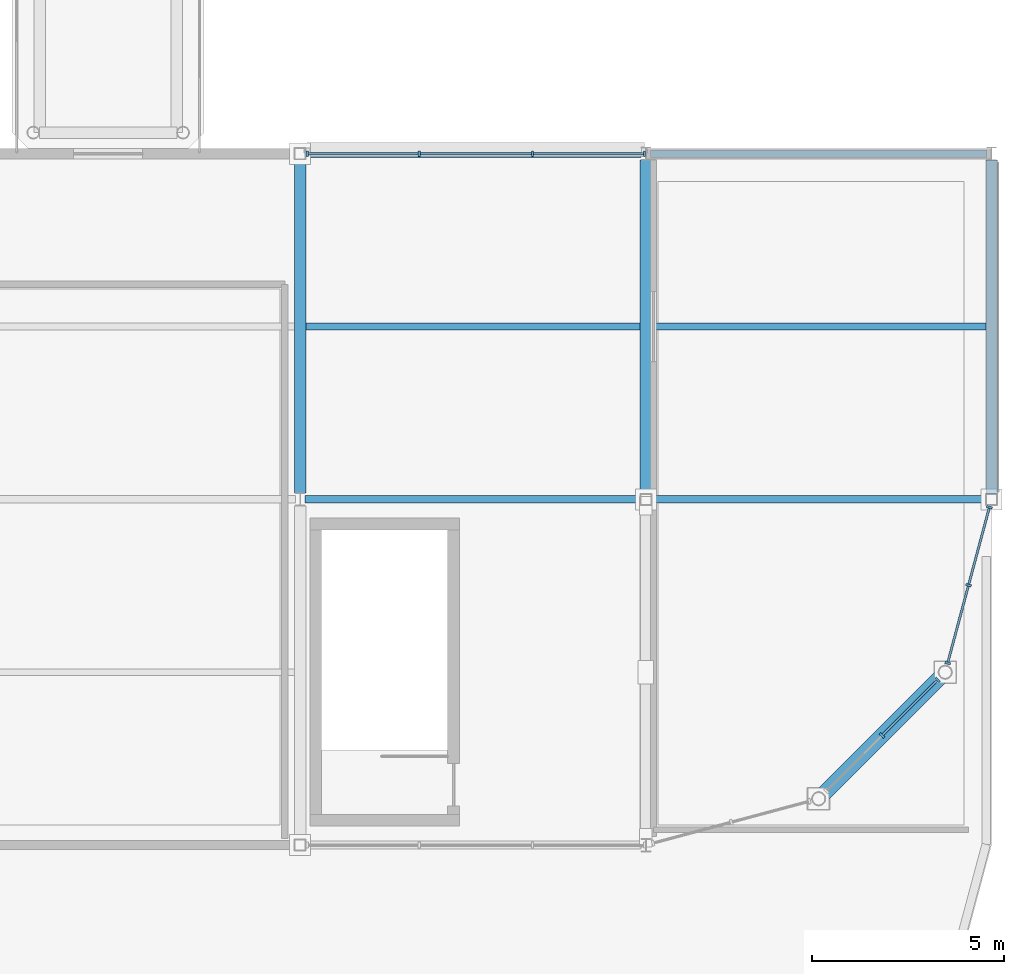
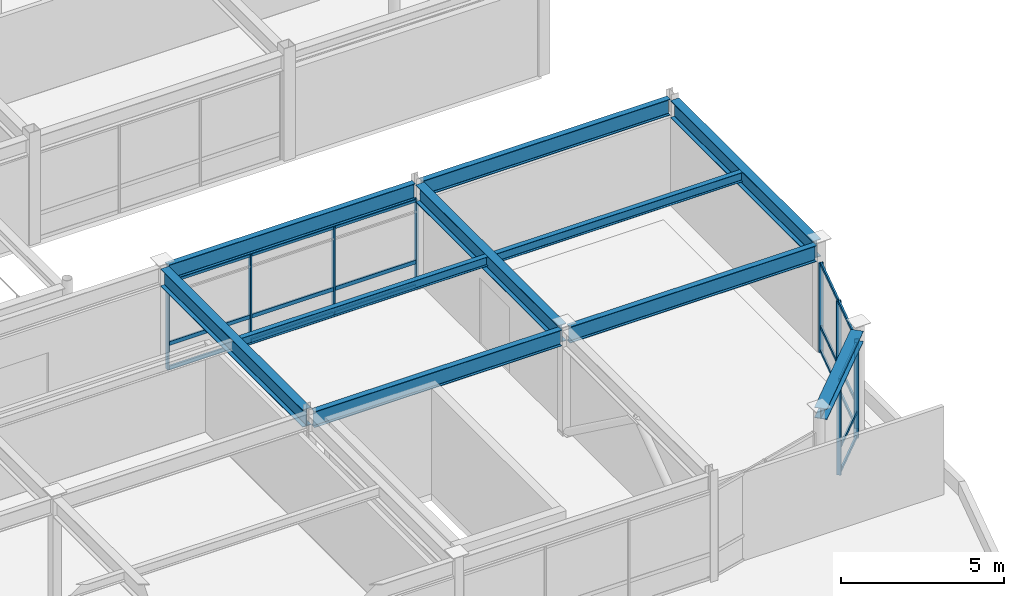
# One storey, part 35 of 70: 27 members, 10 beams, 3 elements without a shape of their own.
"""IFC4 building model written with IfcOpenShell, lengths in metres."""

from ifc_helpers import new_model, si_unit, direction, frame, origin, origin_2d, place, context, subcontext, project, spatial, rectangle, i_section, extrude, material, material_profile, profile_set, type_object, element, aggregate, save


model = new_model("IFC4")

# Units and contexts
model_context = context("Model", 3, precision=1e-05, world=origin(), true_north=direction((0.0, 1.0)))
body_context = subcontext(model_context, "Body", "Model", "MODEL_VIEW")
ifc_project = project(units=[si_unit("LENGTHUNIT", "METRE"), si_unit("AREAUNIT", "SQUARE_METRE"), si_unit("VOLUMEUNIT", "CUBIC_METRE"), si_unit("PLANEANGLEUNIT", "RADIAN"), si_unit("MASSUNIT", "GRAM", prefix="KILO")], contexts=[model_context])

# Site, building, storey
site_placement = place(None, origin())
site = spatial("IfcSite", under=ifc_project, at=site_placement, CompositionType="ELEMENT")
building_placement = place(site_placement, origin())
building = spatial("IfcBuilding", under=site, at=building_placement, Name="Suzunagisa Mobility Hub", CompositionType="ELEMENT")
storey_placement = place(building_placement, frame((0.0, 0.0, 13.5)))
storey = spatial("IfcBuildingStorey", under=building, at=storey_placement, Name="L03", CompositionType="ELEMENT", Elevation=13.5)

# Curtain wall, members
ifc_material_1 = material(Name="Thermally Broken Anodized Aluminum and Low-E Glazing", Category="aluminium")
curtain_wall_type_1 = type_object("IfcCurtainWallType", Name="Unitised Curtain Wall CW-12 8750x3300", PredefinedType="USERDEFINED", material=ifc_material_1)
curtain_wall_1_placement = place(storey_placement, origin())
curtain_wall_1 = element("IfcCurtainWall", 1, at=curtain_wall_1_placement, inside=storey, type_object=curtain_wall_type_1, Name="L03 Unitised Curtain Wall CW-168", ObjectType="UNITISED CURTAIN WALL", PredefinedType="USERDEFINED")
ifc_material_2 = material(Name="Anodized Aluminum 6063-T6", Category="aluminium")
ifc_material_profile_1 = material_profile(ifc_material_2, rectangle(XDim=0.06494140625, YDim=0.139892578125, at=origin_2d()), Name="TRAN-65x140")
ifc_profile_set_1 = profile_set([ifc_material_profile_1], Name="Anodized Aluminum 6063-T6")
member_type_1 = type_object("IfcMemberType", Name="Curtain Wall Framing CM-01 TRAN-65x140", PredefinedType="USERDEFINED", material=ifc_profile_set_1)
member_1_placement = place(storey_placement, frame((170.9375, 36.0, 0.032470703125), z_axis=(-1.0, 0.0, 0.0), x_axis=(0.0, -1.0, 0.0)))
member_1 = element("IfcMember", 2, at=member_1_placement, type_object=member_type_1, Name="Curtain Wall Transom 168-T1.1", ObjectType="TRANSOM", PredefinedType="USERDEFINED", context=body_context, shape_type="SweptSolid", body=[
    extrude(rectangle(XDim=0.06494140625, YDim=0.139892578125, at=origin_2d()), origin(), (0.0, 0.0, 1.0), 2.862548828125),
])
member_2_placement = place(storey_placement, frame((170.9375, 36.0, 0.949951171875), z_axis=(-1.0, 0.0, 0.0), x_axis=(0.0, -1.0, 0.0)))
member_2 = element("IfcMember", 3, at=member_2_placement, type_object=member_type_1, Name="Curtain Wall Transom 168-T1.2", ObjectType="TRANSOM", PredefinedType="USERDEFINED", context=body_context, shape_type="SweptSolid", body=[
    extrude(rectangle(XDim=0.06494140625, YDim=0.139892578125, at=origin_2d()), origin(), (0.0, 0.0, 1.0), 2.862548828125),
])
member_3_placement = place(storey_placement, frame((170.9375, 36.0, 3.257568359375), z_axis=(-1.0, 0.0, 0.0), x_axis=(0.0, -1.0, 0.0)))
member_3 = element("IfcMember", 4, at=member_3_placement, type_object=member_type_1, Name="Curtain Wall Transom 168-T1.3", ObjectType="TRANSOM", PredefinedType="USERDEFINED", context=body_context, shape_type="SweptSolid", body=[
    extrude(rectangle(XDim=0.06494140625, YDim=0.139892578125, at=origin_2d()), origin(), (0.0, 0.0, 1.0), 2.862548828125),
])
member_4_placement = place(storey_placement, frame((168.01904296875, 36.0, 0.032470703125), z_axis=(-1.0, 0.0, 0.0), x_axis=(0.0, -1.0, 0.0)))
member_4 = element("IfcMember", 5, at=member_4_placement, type_object=member_type_1, Name="Curtain Wall Transom 168-T2.1", ObjectType="TRANSOM", PredefinedType="USERDEFINED", context=body_context, shape_type="SweptSolid", body=[
    extrude(rectangle(XDim=0.06494140625, YDim=0.139892578125, at=origin_2d()), origin(), (0.0, 0.0, 1.0), 2.892578125),
])
member_5_placement = place(storey_placement, frame((168.01904296875, 36.0, 0.949951171875), z_axis=(-1.0, 0.0, 0.0), x_axis=(0.0, -1.0, 0.0)))
member_5 = element("IfcMember", 6, at=member_5_placement, type_object=member_type_1, Name="Curtain Wall Transom 168-T2.2", ObjectType="TRANSOM", PredefinedType="USERDEFINED", context=body_context, shape_type="SweptSolid", body=[
    extrude(rectangle(XDim=0.06494140625, YDim=0.139892578125, at=origin_2d()), origin(), (0.0, 0.0, 1.0), 2.892578125),
])
member_6_placement = place(storey_placement, frame((168.01904296875, 36.0, 3.257568359375), z_axis=(-1.0, 0.0, 0.0), x_axis=(0.0, -1.0, 0.0)))
member_6 = element("IfcMember", 7, at=member_6_placement, type_object=member_type_1, Name="Curtain Wall Transom 168-T2.3", ObjectType="TRANSOM", PredefinedType="USERDEFINED", context=body_context, shape_type="SweptSolid", body=[
    extrude(rectangle(XDim=0.06494140625, YDim=0.139892578125, at=origin_2d()), origin(), (0.0, 0.0, 1.0), 2.892578125),
])
member_7_placement = place(storey_placement, frame((165.070556640625, 36.0, 0.032470703125), z_axis=(-1.0, 0.0, 0.0), x_axis=(0.0, -1.0, 0.0)))
member_7 = element("IfcMember", 8, at=member_7_placement, type_object=member_type_1, Name="Curtain Wall Transom 168-T3.1", ObjectType="TRANSOM", PredefinedType="USERDEFINED", context=body_context, shape_type="SweptSolid", body=[
    extrude(rectangle(XDim=0.06494140625, YDim=0.139892578125, at=origin_2d()), origin(), (0.0, 0.0, 1.0), 2.862548828125),
])
member_8_placement = place(storey_placement, frame((165.070556640625, 36.0, 0.949951171875), z_axis=(-1.0, 0.0, 0.0), x_axis=(0.0, -1.0, 0.0)))
member_8 = element("IfcMember", 9, at=member_8_placement, type_object=member_type_1, Name="Curtain Wall Transom 168-T3.2", ObjectType="TRANSOM", PredefinedType="USERDEFINED", context=body_context, shape_type="SweptSolid", body=[
    extrude(rectangle(XDim=0.06494140625, YDim=0.139892578125, at=origin_2d()), origin(), (0.0, 0.0, 1.0), 2.862548828125),
])
member_9_placement = place(storey_placement, frame((165.070556640625, 36.0, 3.257568359375), z_axis=(-1.0, 0.0, 0.0), x_axis=(0.0, -1.0, 0.0)))
member_9 = element("IfcMember", 10, at=member_9_placement, type_object=member_type_1, Name="Curtain Wall Transom 168-T3.3", ObjectType="TRANSOM", PredefinedType="USERDEFINED", context=body_context, shape_type="SweptSolid", body=[
    extrude(rectangle(XDim=0.06494140625, YDim=0.139892578125, at=origin_2d()), origin(), (0.0, 0.0, 1.0), 2.862548828125),
])

curtain_wall_type_2 = type_object("IfcCurtainWallType", Name="Unitised Curtain Wall CW-24 4250x3500", PredefinedType="USERDEFINED", material=ifc_material_1)
curtain_wall_2_placement = place(storey_placement, origin())
curtain_wall_2 = element("IfcCurtainWall", 11, at=curtain_wall_2_placement, inside=storey, type_object=curtain_wall_type_2, Name="L03 Unitised Curtain Wall CW-166", ObjectType="UNITISED CURTAIN WALL", PredefinedType="USERDEFINED")
ifc_material_profile_2 = material_profile(ifc_material_2, rectangle(XDim=0.06005859375, YDim=0.1201171875, at=origin_2d()), Name="TRAN-60x120")
ifc_profile_set_2 = profile_set([ifc_material_profile_2], Name="Anodized Aluminum 6063-T6")
member_type_2 = type_object("IfcMemberType", Name="Curtain Wall Framing CM-02 TRAN-60x120", PredefinedType="USERDEFINED", material=ifc_profile_set_2)
member_10_placement = place(storey_placement, frame((177.1669921875, 20.872802734375, 0.030029296875), z_axis=(0.707106781187, 0.707106781187, 0.0), x_axis=(-0.707106781187, 0.707106781187, 0.0)))
member_10 = element("IfcMember", 12, at=member_10_placement, type_object=member_type_2, Name="Curtain Wall Transom 166-T2.1", ObjectType="TRANSOM", PredefinedType="USERDEFINED", context=body_context, shape_type="SweptSolid", body=[
    extrude(rectangle(XDim=0.06005859375, YDim=0.1201171875, at=origin_2d()), origin(), (0.0, 0.0, 1.0), 1.991943359375),
])
member_11_placement = place(storey_placement, frame((177.1669921875, 20.872802734375, 0.949951171875), z_axis=(0.707106781187, 0.707106781187, 0.0), x_axis=(-0.707106781187, 0.707106781187, 0.0)))
member_11 = element("IfcMember", 13, at=member_11_placement, type_object=member_type_2, Name="Curtain Wall Transom 166-T2.2", ObjectType="TRANSOM", PredefinedType="USERDEFINED", context=body_context, shape_type="SweptSolid", body=[
    extrude(rectangle(XDim=0.06005859375, YDim=0.1201171875, at=origin_2d()), origin(), (0.0, 0.0, 1.0), 1.991943359375),
])
member_12_placement = place(storey_placement, frame((177.1669921875, 20.872802734375, 3.510009765625), z_axis=(0.707106781187, 0.707106781187, 0.0), x_axis=(-0.707106781187, 0.707106781187, 0.0)))
member_12 = element("IfcMember", 14, at=member_12_placement, type_object=member_type_2, Name="Curtain Wall Transom 166-T2.3", ObjectType="TRANSOM", PredefinedType="USERDEFINED", context=body_context, shape_type="SweptSolid", body=[
    extrude(rectangle(XDim=0.06005859375, YDim=0.1201171875, at=origin_2d()), origin(), (0.0, 0.0, 1.0), 1.991943359375),
])

curtain_wall_type_3 = type_object("IfcCurtainWallType", Name="Unitised Curtain Wall CW-06 4250x3300", PredefinedType="USERDEFINED", material=ifc_material_1)
curtain_wall_3_placement = place(storey_placement, origin())
curtain_wall_3 = element("IfcCurtainWall", 15, at=curtain_wall_3_placement, inside=storey, type_object=curtain_wall_type_3, Name="L03 Unitised Curtain Wall CW-167", ObjectType="UNITISED CURTAIN WALL", PredefinedType="USERDEFINED")
member_13_placement = place(storey_placement, frame((178.865478515625, 22.766357421875, 0.030029296875), z_axis=(0.258897396249, 0.965904828757, 0.0), x_axis=(-0.965904828757, 0.258897396249, 0.0)))
member_13 = element("IfcMember", 16, at=member_13_placement, type_object=member_type_2, Name="Curtain Wall Transom 167-T1.1", ObjectType="TRANSOM", PredefinedType="USERDEFINED", context=body_context, shape_type="SweptSolid", body=[
    extrude(rectangle(XDim=0.06005859375, YDim=0.1201171875, at=origin_2d()), origin(), (0.0, 0.0, 1.0), 2.04248046875),
])
member_14_placement = place(storey_placement, frame((178.865478515625, 22.766357421875, 0.949951171875), z_axis=(0.258897396249, 0.965904828757, 0.0), x_axis=(-0.965904828757, 0.258897396249, 0.0)))
member_14 = element("IfcMember", 17, at=member_14_placement, type_object=member_type_2, Name="Curtain Wall Transom 167-T1.2", ObjectType="TRANSOM", PredefinedType="USERDEFINED", context=body_context, shape_type="SweptSolid", body=[
    extrude(rectangle(XDim=0.06005859375, YDim=0.1201171875, at=origin_2d()), origin(), (0.0, 0.0, 1.0), 2.04248046875),
])
member_15_placement = place(storey_placement, frame((178.865478515625, 22.766357421875, 3.31005859375), z_axis=(0.258897396249, 0.965904828757, 0.0), x_axis=(-0.965904828757, 0.258897396249, 0.0)))
member_15 = element("IfcMember", 18, at=member_15_placement, type_object=member_type_2, Name="Curtain Wall Transom 167-T1.3", ObjectType="TRANSOM", PredefinedType="USERDEFINED", context=body_context, shape_type="SweptSolid", body=[
    extrude(rectangle(XDim=0.06005859375, YDim=0.1201171875, at=origin_2d()), origin(), (0.0, 0.0, 1.0), 2.04248046875),
])
member_16_placement = place(storey_placement, frame((179.40869140625, 24.79345703125, 0.030029296875), z_axis=(0.258867509208, 0.965912839068, 0.0), x_axis=(-0.965912839068, 0.258867509208, 0.0)))
member_16 = element("IfcMember", 19, at=member_16_placement, type_object=member_type_2, Name="Curtain Wall Transom 167-T2.1", ObjectType="TRANSOM", PredefinedType="USERDEFINED", context=body_context, shape_type="SweptSolid", body=[
    extrude(rectangle(XDim=0.06005859375, YDim=0.1201171875, at=origin_2d()), origin(), (0.0, 0.0, 1.0), 2.042724609375),
])
member_17_placement = place(storey_placement, frame((179.40869140625, 24.79345703125, 0.949951171875), z_axis=(0.258867509208, 0.965912839068, 0.0), x_axis=(-0.965912839068, 0.258867509208, 0.0)))
member_17 = element("IfcMember", 20, at=member_17_placement, type_object=member_type_2, Name="Curtain Wall Transom 167-T2.2", ObjectType="TRANSOM", PredefinedType="USERDEFINED", context=body_context, shape_type="SweptSolid", body=[
    extrude(rectangle(XDim=0.06005859375, YDim=0.1201171875, at=origin_2d()), origin(), (0.0, 0.0, 1.0), 2.042724609375),
])
member_18_placement = place(storey_placement, frame((179.40869140625, 24.79345703125, 3.31005859375), z_axis=(0.258867509208, 0.965912839068, 0.0), x_axis=(-0.965912839068, 0.258867509208, 0.0)))
member_18 = element("IfcMember", 21, at=member_18_placement, type_object=member_type_2, Name="Curtain Wall Transom 167-T2.3", ObjectType="TRANSOM", PredefinedType="USERDEFINED", context=body_context, shape_type="SweptSolid", body=[
    extrude(rectangle(XDim=0.06005859375, YDim=0.1201171875, at=origin_2d()), origin(), (0.0, 0.0, 1.0), 2.042724609375),
])

# Member
ifc_material_profile_3 = material_profile(ifc_material_2, rectangle(XDim=0.06005859375, YDim=0.14990234375, at=origin_2d()), Name="MULL-60x150")
ifc_profile_set_3 = profile_set([ifc_material_profile_3], Name="Anodized Aluminum 6063-T6")
member_type_3 = type_object("IfcMemberType", Name="Curtain Wall Framing CM-03 MULL-60x150", PredefinedType="MULLION", material=ifc_profile_set_3)
member_19_placement = place(storey_placement, frame((177.147216796875, 20.852783203125, 0.0), z_axis=(0.0, 0.0, 1.0), x_axis=(0.707106781187, 0.707106781187, 0.0)))
member_19 = element("IfcMember", 22, at=member_19_placement, type_object=member_type_3, Name="Curtain Wall Mullion 166-M2", PredefinedType="MULLION", context=body_context, shape_type="SweptSolid", body=[
    extrude(rectangle(XDim=0.06005859375, YDim=0.14990234375, at=origin_2d()), origin(), (0.0, 0.0, 1.0), 3.5400390625),
])

member_20_placement = place(storey_placement, frame((178.59521484375, 22.301025390625, 0.0), z_axis=(0.0, 0.0, 1.0), x_axis=(0.707106781187, 0.707106781187, 0.0)))
member_20 = element("IfcMember", 23, at=member_20_placement, type_object=member_type_3, Name="Curtain Wall Mullion 166-M3", PredefinedType="MULLION", context=body_context, shape_type="SweptSolid", body=[
    extrude(rectangle(XDim=0.06005859375, YDim=0.14990234375, at=origin_2d()), origin(), (0.0, 0.0, 1.0), 3.5400390625),
])

aggregate(curtain_wall_2, [member_19, member_20, member_10, member_11, member_12])

member_21_placement = place(storey_placement, frame((178.8583984375, 22.7392578125, 0.0), z_axis=(0.0, 0.0, 1.0), x_axis=(0.258827664752, 0.96592351662, 0.0)))
member_21 = element("IfcMember", 24, at=member_21_placement, type_object=member_type_3, Name="Curtain Wall Mullion 167-M1", PredefinedType="MULLION", context=body_context, shape_type="SweptSolid", body=[
    extrude(rectangle(XDim=0.06005859375, YDim=0.14990234375, at=origin_2d()), origin(), (0.0, 0.0, 1.0), 3.340087890625),
])

member_22_placement = place(storey_placement, frame((179.401611328125, 24.766357421875, 0.0), z_axis=(0.0, 0.0, 1.0), x_axis=(0.258827664752, 0.96592351662, 0.0)))
member_22 = element("IfcMember", 25, at=member_22_placement, type_object=member_type_3, Name="Curtain Wall Mullion 167-M2", PredefinedType="MULLION", context=body_context, shape_type="SweptSolid", body=[
    extrude(rectangle(XDim=0.06005859375, YDim=0.14990234375, at=origin_2d()), origin(), (0.0, 0.0, 1.0), 3.340087890625),
])

member_23_placement = place(storey_placement, frame((179.944580078125, 26.793701171875, 0.0), z_axis=(0.0, 0.0, 1.0), x_axis=(0.258827664752, 0.96592351662, 0.0)))
member_23 = element("IfcMember", 26, at=member_23_placement, type_object=member_type_3, Name="Curtain Wall Mullion 167-M3", PredefinedType="MULLION", context=body_context, shape_type="SweptSolid", body=[
    extrude(rectangle(XDim=0.06005859375, YDim=0.14990234375, at=origin_2d()), origin(), (0.0, 0.0, 1.0), 3.340087890625),
])

aggregate(curtain_wall_3, [member_21, member_22, member_23, member_13, member_14, member_15, member_16, member_17, member_18])

member_24_placement = place(storey_placement, frame((170.965576171875, 36.0, 0.0), z_axis=(0.0, 0.0, 1.0), x_axis=(-1.0, 0.0, 0.0)))
member_24 = element("IfcMember", 27, at=member_24_placement, type_object=member_type_3, Name="Curtain Wall Mullion 168-M1", PredefinedType="MULLION", context=body_context, shape_type="SweptSolid", body=[
    extrude(rectangle(XDim=0.06005859375, YDim=0.14990234375, at=origin_2d()), origin(), (0.0, 0.0, 1.0), 3.2900390625),
])

member_25_placement = place(storey_placement, frame((168.047119140625, 36.0, 0.0), z_axis=(0.0, 0.0, 1.0), x_axis=(-1.0, 0.0, 0.0)))
member_25 = element("IfcMember", 28, at=member_25_placement, type_object=member_type_3, Name="Curtain Wall Mullion 168-M2", PredefinedType="MULLION", context=body_context, shape_type="SweptSolid", body=[
    extrude(rectangle(XDim=0.06005859375, YDim=0.14990234375, at=origin_2d()), origin(), (0.0, 0.0, 1.0), 3.2900390625),
])

member_26_placement = place(storey_placement, frame((165.098388671875, 36.0, 0.0), z_axis=(0.0, 0.0, 1.0), x_axis=(-1.0, 0.0, 0.0)))
member_26 = element("IfcMember", 29, at=member_26_placement, type_object=member_type_3, Name="Curtain Wall Mullion 168-M3", PredefinedType="MULLION", context=body_context, shape_type="SweptSolid", body=[
    extrude(rectangle(XDim=0.06005859375, YDim=0.14990234375, at=origin_2d()), origin(), (0.0, 0.0, 1.0), 3.2900390625),
])

member_27_placement = place(storey_placement, frame((162.179931640625, 36.0, 0.0), z_axis=(0.0, 0.0, 1.0), x_axis=(-1.0, 0.0, 0.0)))
member_27 = element("IfcMember", 30, at=member_27_placement, type_object=member_type_3, Name="Curtain Wall Mullion 168-M4", PredefinedType="MULLION", context=body_context, shape_type="SweptSolid", body=[
    extrude(rectangle(XDim=0.06005859375, YDim=0.14990234375, at=origin_2d()), origin(), (0.0, 0.0, 1.0), 3.2900390625),
])

aggregate(curtain_wall_1, [member_24, member_25, member_26, member_27, member_1, member_2, member_3, member_4, member_5, member_6, member_7, member_8, member_9])

# Beams
ifc_material_3 = material(Name="Steel SN400B", Category="steel")
ifc_material_profile_4 = material_profile(ifc_material_3, i_section(OverallWidth=0.175048828125, OverallDepth=0.35009765625, WebThickness=0.007080078125, FlangeThickness=0.010986328125, FilletRadius=0.008056640625, at=origin_2d()), Name="H-350x175x7x11")
ifc_profile_set_4 = profile_set([ifc_material_profile_4], Name="Steel SN400B")
beam_type_1 = type_object("IfcBeamType", Name="Steel Beam BM-03 H-350x175x7x11", PredefinedType="JOIST", material=ifc_profile_set_4)
for number, where, z_axis, x_axis, name in (
    (31, (162.14990234375, 31.5, 3.764892578125), (1.0, 0.0, 0.0), (0.0, 1.0, 0.0), "L03 Composite Floor Joist J-1615"),
    (32, (171.14990234375, 31.5, 3.764892578125), (1.0, 0.0, 0.0), (0.0, 1.0, 0.0), "L03 Composite Floor Joist J-1616"),
):
    element("IfcBeam", number, at=place(storey_placement, frame(where, z_axis=z_axis, x_axis=x_axis)), inside=storey, type_object=beam_type_1, Name=name, PredefinedType="JOIST", context=body_context, shape_type="SweptSolid", body=[
        extrude(i_section(OverallWidth=0.175048828125, OverallDepth=0.35009765625, WebThickness=0.007080078125, FlangeThickness=0.010986328125, FilletRadius=0.008056640625, at=origin_2d()), origin(), (0.0, 0.0, 1.0), 8.7001953125),
    ])
ifc_material_4 = material(Name="Steel SN490B", Category="steel")
ifc_material_profile_5 = material_profile(ifc_material_4, i_section(OverallWidth=0.199951171875, OverallDepth=0.60009765625, WebThickness=0.010986328125, FlangeThickness=0.01708984375, FilletRadius=0.012939453125, at=origin_2d()), Name="H-600x200x11x17")
ifc_profile_set_5 = profile_set([ifc_material_profile_5], Name="Steel SN490B")
beam_type_2 = type_object("IfcBeamType", Name="Steel Beam BM-07 H-600x200x11x17", PredefinedType="BEAM", material=ifc_profile_set_5)
beam_1_placement = place(storey_placement, frame((162.12109375, 27.0, 3.639892578125), z_axis=(1.0, 0.0, 0.0), x_axis=(0.0, 1.0, 0.0)))
element("IfcBeam", 33, at=beam_1_placement, inside=storey, type_object=beam_type_2, Name="L03 Primary Girder GX-1591", PredefinedType="BEAM", context=body_context, shape_type="SweptSolid", body=[
    extrude(i_section(OverallWidth=0.199951171875, OverallDepth=0.60009765625, WebThickness=0.010986328125, FlangeThickness=0.01708984375, FilletRadius=0.012939453125, at=origin_2d()), origin(), (0.0, 0.0, 1.0), 8.73291015625),
])
beam_2_placement = place(storey_placement, frame((171.14599609375, 27.0, 3.639892578125), z_axis=(1.0, 0.0, 0.0), x_axis=(0.0, 1.0, 0.0)))
element("IfcBeam", 34, at=beam_2_placement, inside=storey, type_object=beam_type_2, Name="L03 Primary Girder GX-1592", PredefinedType="BEAM", context=body_context, shape_type="SweptSolid", body=[
    extrude(i_section(OverallWidth=0.199951171875, OverallDepth=0.60009765625, WebThickness=0.010986328125, FlangeThickness=0.01708984375, FilletRadius=0.012939453125, at=origin_2d()), origin(), (0.0, 0.0, 1.0), 8.7080078125),
])
beam_3_placement = place(storey_placement, frame((162.14599609375, 36.0, 3.639892578125), z_axis=(1.0, 0.0, 0.0), x_axis=(0.0, 1.0, 0.0)))
element("IfcBeam", 35, at=beam_3_placement, inside=storey, type_object=beam_type_2, Name="L03 Primary Girder GX-1596", PredefinedType="BEAM", context=body_context, shape_type="SweptSolid", body=[
    extrude(i_section(OverallWidth=0.199951171875, OverallDepth=0.60009765625, WebThickness=0.010986328125, FlangeThickness=0.01708984375, FilletRadius=0.012939453125, at=origin_2d()), origin(), (0.0, 0.0, 1.0), 8.73291015625),
])
beam_4_placement = place(storey_placement, frame((171.12109375, 36.0, 3.639892578125), z_axis=(1.0, 0.0, 0.0), x_axis=(0.0, 1.0, 0.0)))
element("IfcBeam", 36, at=beam_4_placement, inside=storey, type_object=beam_type_2, Name="L03 Primary Girder GX-1597", PredefinedType="BEAM", context=body_context, shape_type="SweptSolid", body=[
    extrude(i_section(OverallWidth=0.199951171875, OverallDepth=0.60009765625, WebThickness=0.010986328125, FlangeThickness=0.01708984375, FilletRadius=0.012939453125, at=origin_2d()), origin(), (0.0, 0.0, 1.0), 8.7578125),
])
ifc_material_profile_6 = material_profile(ifc_material_4, i_section(OverallWidth=0.300048828125, OverallDepth=0.64990234375, WebThickness=0.012939453125, FlangeThickness=0.02197265625, FilletRadius=0.01611328125, at=origin_2d()), Name="H-650x300x13x22")
ifc_profile_set_6 = profile_set([ifc_material_profile_6], Name="Steel SN490B")
beam_type_3 = type_object("IfcBeamType", Name="Steel Beam BM-10 H-650x300x13x22", PredefinedType="BEAM", material=ifc_profile_set_6)
for number, where, z_axis, x_axis, name in (
    (37, (162.0, 27.166015625, 3.614990234375), (0.0, 1.0, 0.0), (-1.0, 0.0, 0.0), "L03 Primary Girder GY-1605"),
    (38, (171.0, 27.14599609375, 3.614990234375), (0.0, 1.0, 0.0), (-1.0, 0.0, 0.0), "L03 Primary Girder GY-1607"),
    (39, (180.0, 27.14599609375, 3.614990234375), (0.0, 1.0, 0.0), (-1.0, 0.0, 0.0), "L03 Primary Girder GY-1608"),
):
    element("IfcBeam", number, at=place(storey_placement, frame(where, z_axis=z_axis, x_axis=x_axis)), inside=storey, type_object=beam_type_3, Name=name, PredefinedType="BEAM", context=body_context, shape_type="SweptSolid", body=[
        extrude(i_section(OverallWidth=0.300048828125, OverallDepth=0.64990234375, WebThickness=0.012939453125, FlangeThickness=0.02197265625, FilletRadius=0.01611328125, at=origin_2d()), origin(), (0.0, 0.0, 1.0), 8.68798828125),
    ])
ifc_material_profile_7 = material_profile(ifc_material_4, i_section(OverallWidth=0.39990234375, OverallDepth=0.39990234375, WebThickness=0.012939453125, FlangeThickness=0.02099609375, FilletRadius=0.01611328125, at=origin_2d()), Name="H-400x400x13x21")
ifc_profile_set_7 = profile_set([ifc_material_profile_7], Name="Steel SN490B")
beam_type_4 = type_object("IfcBeamType", Name="Steel Beam BM-12 H-400x400x13x21", PredefinedType="SPANDREL", material=ifc_profile_set_7)
beam_5_placement = place(storey_placement, frame((175.625732421875, 19.33154296875, 3.739990234375), z_axis=(0.707106781187, 0.707106781187, 0.0), x_axis=(-0.707106781187, 0.707106781187, 0.0)))
element("IfcBeam", 40, at=beam_5_placement, inside=storey, type_object=beam_type_4, Name="L03 Streamline Prow Spandrel 1609", PredefinedType="SPANDREL", context=body_context, shape_type="SweptSolid", body=[
    extrude(i_section(OverallWidth=0.39990234375, OverallDepth=0.39990234375, WebThickness=0.012939453125, FlangeThickness=0.02099609375, FilletRadius=0.01611328125, at=origin_2d()), origin(), (0.0, 0.0, 1.0), 4.302978515625),
])

save(model, "model.ifc")
